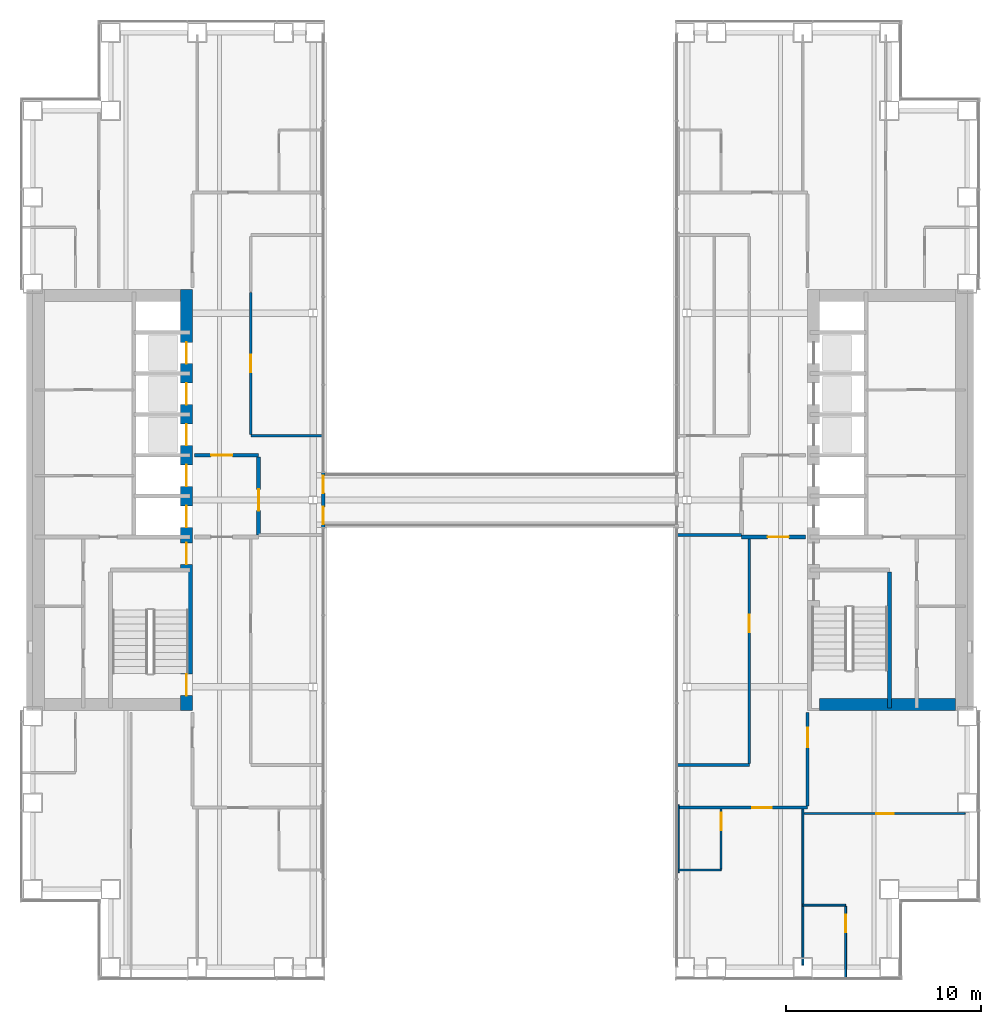
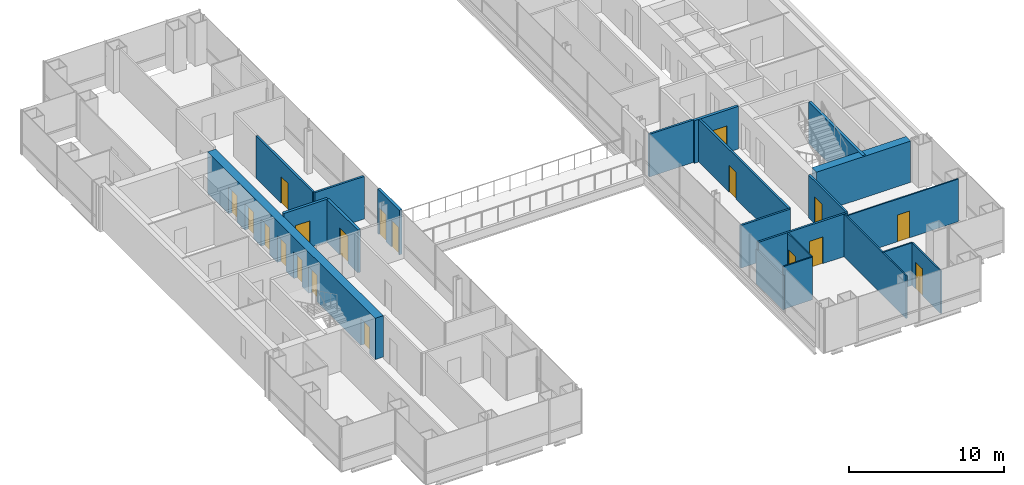
# One storey, part 15 of 19: 21 walls, 19 doors, 19 openings.
"""IFC4 building model written with IfcOpenShell, lengths in metres."""

from ifc_helpers import new_model, si_unit, direction, frame, frame_2d, origin, place, context, subcontext, project, spatial, rectangle, extrude, material, layer, layer_set, type_object, element, fill, save


model = new_model("IFC4")

# Units and contexts
model_context = context("Model", 3, precision=1e-05, world=origin(), true_north=direction((0.0, 1.0)))
body_context = subcontext(model_context, "Body", "Model", "MODEL_VIEW")
ifc_project = project(units=[si_unit("LENGTHUNIT", "METRE"), si_unit("AREAUNIT", "SQUARE_METRE"), si_unit("VOLUMEUNIT", "CUBIC_METRE"), si_unit("PLANEANGLEUNIT", "RADIAN"), si_unit("MASSUNIT", "GRAM", prefix="KILO")], contexts=[model_context])

# Site, building, storey
site_placement = place(None, origin())
site = spatial("IfcSite", under=ifc_project, at=site_placement, CompositionType="ELEMENT")
building_placement = place(site_placement, origin())
building = spatial("IfcBuilding", under=site, at=building_placement, Name="Cobrizo Arcos Hotel Tower", CompositionType="ELEMENT")
storey_placement = place(building_placement, frame((0.0, 0.0, 63.5)))
storey = spatial("IfcBuildingStorey", under=building, at=storey_placement, Name="L14", CompositionType="ELEMENT", Elevation=63.5)

# Wall, opening, door
ifc_material_1 = material(Name="Gypsum board partition")
ifc_layer_1 = layer(ifc_material_1, 0.14990234375)
ifc_layer_set_1 = layer_set([ifc_layer_1], Name="Corridor wall EI 60 150")
wall_type_1 = type_object("IfcWallType", Name="Corridor wall EI 60 150", PredefinedType="PARTITIONING", material=ifc_layer_set_1)
wall_1_placement = place(storey_placement, frame((9.14990234375, -15.800048828125, 0.0), z_axis=(0.0, 0.0, 1.0), x_axis=(1.0, 0.0, 0.0)))
wall_1 = element("IfcWall", 1, at=wall_1_placement, inside=storey, type_object=wall_type_1, Name="Partition 006", PredefinedType="PARTITIONING", context=body_context, shape_type="SweptSolid", body=[
    extrude(rectangle(XDim=6.650146484375, YDim=0.14990234375, at=frame_2d((3.3251953125, 0.0))), origin(), (0.0, 0.0, 1.0), 3.35009765625),
])
opening_1_placement = place(wall_1_placement, frame((3.802978515625, 0.0, 0.0)))
opening_1 = element("IfcOpeningElement", 2, at=opening_1_placement, cuts=wall_1, Name="Opening GD-03", PredefinedType="OPENING", context=body_context, shape_type="SweptSolid", body=[
    extrude(rectangle(XDim=1.0, YDim=2.10009765625, at=frame_2d((0.5, 1.050048828125))), frame((0.0, 0.0869140625, 0.0), z_axis=(0.0, -1.0, 0.0), x_axis=(1.0, 0.0, 0.0)), (0.0, 0.0, 1.0), 0.173828125),
])
ifc_material_2 = material(Name="Timber door leaf", Category="wood")
door_type_1 = type_object("IfcDoorType", Name="Guest room door FD30S 1000x2100", OperationType="SINGLE_SWING_LEFT", PredefinedType="DOOR", material=ifc_material_2)
door_1_placement = place(opening_1_placement, origin())
door_1 = element("IfcDoor", 3, at=door_1_placement, inside=storey, type_object=door_type_1, Name="Door GD-03", OperationType="SINGLE_SWING_RIGHT", OverallHeight=2.10009765625, OverallWidth=1.0, PredefinedType="DOOR", context=body_context, shape_type="SweptSolid", body=[
    extrude(rectangle(XDim=1.0, YDim=2.10009765625, at=frame_2d((0.5, 1.050048828125))), frame((0.0, 0.02490234375, 0.0), z_axis=(0.0, -1.0, 0.0), x_axis=(1.0, 0.0, 0.0)), (0.0, 0.0, 1.0), 0.050048828125),
])
fill(opening_1, door_1)

# Walls
wall_2_placement = place(storey_placement, frame((9.1201171875, -13.60009765625, 0.0), z_axis=(0.0, 0.0, 1.0), x_axis=(1.0, 0.0, 0.0)))
element("IfcWall", 4, at=wall_2_placement, inside=storey, type_object=wall_type_1, Name="Partition 009", PredefinedType="PARTITIONING", context=body_context, shape_type="SweptSolid", body=[
    extrude(rectangle(XDim=3.679931640625, YDim=0.14990234375, at=frame_2d((1.83984375, 0.0))), origin(), (0.0, 0.0, 1.0), 3.35009765625),
])
wall_3_placement = place(storey_placement, frame((9.1201171875, -1.800048828125, 0.0), z_axis=(0.0, 0.0, 1.0), x_axis=(1.0, 0.0, 0.0)))
element("IfcWall", 5, at=wall_3_placement, inside=storey, type_object=wall_type_1, Name="Partition 019", PredefinedType="PARTITIONING", context=body_context, shape_type="SweptSolid", body=[
    extrude(rectangle(XDim=3.27978515625, YDim=0.14990234375, at=frame_2d((1.639892578125, 0.0))), origin(), (0.0, 0.0, 1.0), 3.35009765625),
])
wall_4_placement = place(storey_placement, frame((-12.800048828125, 3.300048828125, 0.0), z_axis=(0.0, 0.0, 1.0), x_axis=(1.0, 0.0, 0.0)))
element("IfcWall", 6, at=wall_4_placement, inside=storey, type_object=wall_type_1, Name="Partition 028", PredefinedType="PARTITIONING", context=body_context, shape_type="SweptSolid", body=[
    extrude(rectangle(XDim=3.679931640625, YDim=0.14990234375, at=frame_2d((1.83984375, 0.0))), origin(), (0.0, 0.0, 1.0), 3.35009765625),
])

# Wall, opening, door
wall_5_placement = place(storey_placement, frame((-12.800048828125, 3.375, 0.0), z_axis=(0.0, 0.0, 1.0), x_axis=(0.0, 1.0, 0.0)))
wall_5 = element("IfcWall", 7, at=wall_5_placement, inside=storey, type_object=wall_type_1, Name="Partition 058", PredefinedType="PARTITIONING", context=body_context, shape_type="SweptSolid", body=[
    extrude(rectangle(XDim=7.27490234375, YDim=0.14990234375, at=frame_2d((3.637451171875, 0.0))), origin(), (0.0, 0.0, 1.0), 3.35009765625),
])
opening_2_placement = place(wall_5_placement, frame((3.175048828125, 0.0, 0.0)))
opening_2 = element("IfcOpeningElement", 8, at=opening_2_placement, cuts=wall_5, Name="Opening RD-15", PredefinedType="OPENING", context=body_context, shape_type="SweptSolid", body=[
    extrude(rectangle(XDim=0.89990234375, YDim=2.10009765625, at=frame_2d((0.449951171875, 1.050048828125))), frame((0.0, 0.0869140625, 0.0), z_axis=(0.0, -1.0, 0.0), x_axis=(1.0, 0.0, 0.0)), (0.0, 0.0, 1.0), 0.173828125),
])
door_type_2 = type_object("IfcDoorType", Name="Room door FD30 900x2100", OperationType="SINGLE_SWING_LEFT", PredefinedType="DOOR", material=ifc_material_2)
door_2_placement = place(opening_2_placement, origin())
door_2 = element("IfcDoor", 9, at=door_2_placement, inside=storey, type_object=door_type_2, Name="Door RD-15", OperationType="SINGLE_SWING_LEFT", OverallHeight=2.10009765625, OverallWidth=0.89990234375, PredefinedType="DOOR", context=body_context, shape_type="SweptSolid", body=[
    extrude(rectangle(XDim=0.89990234375, YDim=2.10009765625, at=frame_2d((0.449951171875, 1.050048828125))), frame((0.0, 0.02490234375, 0.0), z_axis=(0.0, -1.0, 0.0), x_axis=(1.0, 0.0, 0.0)), (0.0, 0.0, 1.0), 0.050048828125),
])
fill(opening_2, door_2)

wall_6_placement = place(storey_placement, frame((12.800048828125, -13.52490234375, 0.0), z_axis=(0.0, 0.0, 1.0), x_axis=(0.0, 1.0, 0.0)))
wall_6 = element("IfcWall", 10, at=wall_6_placement, inside=storey, type_object=wall_type_1, Name="Partition 072", PredefinedType="PARTITIONING", context=body_context, shape_type="SweptSolid", body=[
    extrude(rectangle(XDim=11.52490234375, YDim=0.14990234375, at=frame_2d((5.762451171875, 0.0))), origin(), (0.0, 0.0, 1.0), 3.35009765625),
])
opening_3_placement = place(wall_6_placement, frame((6.72509765625, 0.0, 0.0)))
opening_3 = element("IfcOpeningElement", 11, at=opening_3_placement, cuts=wall_6, Name="Opening RD-16", PredefinedType="OPENING", context=body_context, shape_type="SweptSolid", body=[
    extrude(rectangle(XDim=0.89990234375, YDim=2.10009765625, at=frame_2d((0.449951171875, 1.050048828125))), frame((0.0, 0.0869140625, 0.0), z_axis=(0.0, -1.0, 0.0), x_axis=(1.0, 0.0, 0.0)), (0.0, 0.0, 1.0), 0.173828125),
])
door_3_placement = place(opening_3_placement, origin())
door_3 = element("IfcDoor", 12, at=door_3_placement, inside=storey, type_object=door_type_2, Name="Door RD-16", OperationType="SINGLE_SWING_RIGHT", OverallHeight=2.10009765625, OverallWidth=0.89990234375, PredefinedType="DOOR", context=body_context, shape_type="SweptSolid", body=[
    extrude(rectangle(XDim=0.89990234375, YDim=2.10009765625, at=frame_2d((0.449951171875, 1.050048828125))), frame((0.0, 0.02490234375, 0.0), z_axis=(0.0, -1.0, 0.0), x_axis=(1.0, 0.0, 0.0)), (0.0, 0.0, 1.0), 0.050048828125),
])
fill(opening_3, door_3)

wall_7_placement = place(storey_placement, frame((15.800048828125, -15.72509765625, 0.0), z_axis=(0.0, 0.0, 1.0), x_axis=(0.0, 1.0, 0.0)))
wall_7 = element("IfcWall", 13, at=wall_7_placement, inside=storey, type_object=wall_type_1, Name="Partition 077", PredefinedType="PARTITIONING", context=body_context, shape_type="SweptSolid", body=[
    extrude(rectangle(XDim=4.80517578125, YDim=0.14990234375, at=frame_2d((2.402587890625, 0.0))), origin(), (0.0, 0.0, 1.0), 3.35009765625),
])
opening_4_placement = place(wall_7_placement, frame((3.02490234375, 0.0, 0.0)))
opening_4 = element("IfcOpeningElement", 14, at=opening_4_placement, cuts=wall_7, Name="Opening GD-07", PredefinedType="OPENING", context=body_context, shape_type="SweptSolid", body=[
    extrude(rectangle(XDim=1.0, YDim=2.10009765625, at=frame_2d((0.5, 1.050048828125))), frame((0.0, 0.0869140625, 0.0), z_axis=(0.0, -1.0, 0.0), x_axis=(1.0, 0.0, 0.0)), (0.0, 0.0, 1.0), 0.173828125),
])
door_4_placement = place(opening_4_placement, origin())
door_4 = element("IfcDoor", 15, at=door_4_placement, inside=storey, type_object=door_type_1, Name="Door GD-07", OperationType="SINGLE_SWING_LEFT", OverallHeight=2.10009765625, OverallWidth=1.0, PredefinedType="DOOR", context=body_context, shape_type="SweptSolid", body=[
    extrude(rectangle(XDim=1.0, YDim=2.10009765625, at=frame_2d((0.5, 1.050048828125))), frame((0.0, 0.02490234375, 0.0), z_axis=(0.0, -1.0, 0.0), x_axis=(1.0, 0.0, 0.0)), (0.0, 0.0, 1.0), 0.050048828125),
])
fill(opening_4, door_4)

# Wall, openings, doors
ifc_material_3 = material(Name="Aluminium 6063-T6 anodised pale", Category="aluminium")
ifc_layer_2 = layer(ifc_material_3, 0.199951171875)
ifc_layer_set_2 = layer_set([ifc_layer_2], Name="EW-4 sky bridge door frame wall")
wall_type_2 = type_object("IfcWallType", Name="EW-4 sky bridge door frame wall", PredefinedType="SOLIDWALL", material=ifc_layer_set_2)
wall_8_placement = place(storey_placement, frame((-9.074951171875, -1.39990234375, 0.0), z_axis=(0.0, 0.0, 1.0), x_axis=(0.0, 1.0, 0.0)))
wall_8 = element("IfcWall", 16, at=wall_8_placement, inside=storey, type_object=wall_type_2, Name="Sky bridge door wall A W", PredefinedType="SOLIDWALL", context=body_context, shape_type="SweptSolid", body=[
    extrude(rectangle(XDim=2.7998046875, YDim=0.199951171875, at=frame_2d((1.39990234375, 0.0))), origin(), (0.0, 0.0, 1.0), 3.5),
])
opening_5_placement = place(wall_8_placement, frame((0.14990234375, 0.0, 0.0)))
opening_5 = element("IfcOpeningElement", 17, at=opening_5_placement, cuts=wall_8, Name="Opening E-22", PredefinedType="OPENING", context=body_context, shape_type="SweptSolid", body=[
    extrude(rectangle(XDim=0.89990234375, YDim=2.10009765625, at=frame_2d((0.449951171875, 1.050048828125))), frame((0.0, 0.112060546875, 0.0), z_axis=(0.0, -1.0, 0.0), x_axis=(1.0, 0.0, 0.0)), (0.0, 0.0, 1.0), 0.223876953125),
])
opening_6_placement = place(wall_8_placement, frame((1.75, 0.0, 0.0)))
opening_6 = element("IfcOpeningElement", 18, at=opening_6_placement, cuts=wall_8, Name="Opening E-23", PredefinedType="OPENING", context=body_context, shape_type="SweptSolid", body=[
    extrude(rectangle(XDim=0.89990234375, YDim=2.10009765625, at=frame_2d((0.449951171875, 1.050048828125))), frame((0.0, 0.112060546875, 0.0), z_axis=(0.0, -1.0, 0.0), x_axis=(1.0, 0.0, 0.0)), (0.0, 0.0, 1.0), 0.223876953125),
])
ifc_material_4 = material(Name="Aluminium 6063-T6 and clear laminated glass", Category="aluminium")
door_type_3 = type_object("IfcDoorType", Name="D-B2 sky bridge single door 900x2100", OperationType="SINGLE_SWING_LEFT", PredefinedType="DOOR", material=ifc_material_4)
door_5_placement = place(opening_5_placement, origin())
door_5 = element("IfcDoor", 19, at=door_5_placement, inside=storey, type_object=door_type_3, Name="Sky bridge door wall A W door E-22", OperationType="SINGLE_SWING_LEFT", OverallHeight=2.10009765625, OverallWidth=0.89990234375, PredefinedType="DOOR", context=body_context, shape_type="SweptSolid", body=[
    extrude(rectangle(XDim=0.89990234375, YDim=2.10009765625, at=frame_2d((0.449951171875, 1.050048828125))), frame((0.0, 0.02490234375, 0.0), z_axis=(0.0, -1.0, 0.0), x_axis=(1.0, 0.0, 0.0)), (0.0, 0.0, 1.0), 0.050048828125),
])
fill(opening_5, door_5)
door_6_placement = place(opening_6_placement, origin())
door_6 = element("IfcDoor", 20, at=door_6_placement, inside=storey, type_object=door_type_3, Name="Sky bridge door wall A W door E-23", OperationType="SINGLE_SWING_RIGHT", OverallHeight=2.10009765625, OverallWidth=0.89990234375, PredefinedType="DOOR", context=body_context, shape_type="SweptSolid", body=[
    extrude(rectangle(XDim=0.89990234375, YDim=2.10009765625, at=frame_2d((0.449951171875, 1.050048828125))), frame((0.0, 0.02490234375, 0.0), z_axis=(0.0, -1.0, 0.0), x_axis=(1.0, 0.0, 0.0)), (0.0, 0.0, 1.0), 0.050048828125),
])
fill(opening_6, door_6)

# Walls
ifc_layer_3 = layer(ifc_material_1, 0.10009765625)
ifc_layer_set_3 = layer_set([ifc_layer_3], Name="Partition EI 30 100")
wall_type_3 = type_object("IfcWallType", Name="Partition EI 30 100", PredefinedType="PARTITIONING", material=ifc_layer_set_3)
wall_9_placement = place(storey_placement, frame((15.550048828125, -20.800048828125, 0.0), z_axis=(0.0, 0.0, 1.0), x_axis=(1.0, 0.0, 0.0)))
element("IfcWall", 21, at=wall_9_placement, inside=storey, type_object=wall_type_3, Name="Partition 001", PredefinedType="PARTITIONING", context=body_context, shape_type="SweptSolid", body=[
    extrude(rectangle(XDim=2.199951171875, YDim=0.10009765625, at=frame_2d((1.10009765625, 0.0))), origin(), (0.0, 0.0, 1.0), 3.35009765625),
])
wall_10_placement = place(storey_placement, frame((9.14990234375, -19.0, 0.0), z_axis=(0.0, 0.0, 1.0), x_axis=(1.0, 0.0, 0.0)))
element("IfcWall", 22, at=wall_10_placement, inside=storey, type_object=wall_type_3, Name="Partition 003", PredefinedType="PARTITIONING", context=body_context, shape_type="SweptSolid", body=[
    extrude(rectangle(XDim=2.2001953125, YDim=0.10009765625, at=frame_2d((1.10009765625, 0.0))), origin(), (0.0, 0.0, 1.0), 3.35009765625),
])

# Wall, opening, door
wall_11_placement = place(storey_placement, frame((15.550048828125, -16.10009765625, 0.0), z_axis=(0.0, 0.0, 1.0), x_axis=(1.0, 0.0, 0.0)))
wall_11 = element("IfcWall", 23, at=wall_11_placement, inside=storey, type_object=wall_type_3, Name="Partition 004", PredefinedType="PARTITIONING", context=body_context, shape_type="SweptSolid", body=[
    extrude(rectangle(XDim=8.329833984375, YDim=0.10009765625, at=frame_2d((4.1650390625, 0.0))), origin(), (0.0, 0.0, 1.0), 3.35009765625),
])
opening_7_placement = place(wall_11_placement, frame((3.778076171875, 0.0, 0.0)))
opening_7 = element("IfcOpeningElement", 24, at=opening_7_placement, cuts=wall_11, Name="Opening RD-13", PredefinedType="OPENING", context=body_context, shape_type="SweptSolid", body=[
    extrude(rectangle(XDim=0.89990234375, YDim=2.10009765625, at=frame_2d((0.449951171875, 1.050048828125))), frame((0.0, 0.06201171875, 0.0), z_axis=(0.0, -1.0, 0.0), x_axis=(1.0, 0.0, 0.0)), (0.0, 0.0, 1.0), 0.1240234375),
])
door_7_placement = place(opening_7_placement, origin())
door_7 = element("IfcDoor", 25, at=door_7_placement, inside=storey, type_object=door_type_2, Name="Door RD-13", OperationType="SINGLE_SWING_LEFT", OverallHeight=2.10009765625, OverallWidth=0.89990234375, PredefinedType="DOOR", context=body_context, shape_type="SweptSolid", body=[
    extrude(rectangle(XDim=0.89990234375, YDim=2.10009765625, at=frame_2d((0.449951171875, 1.050048828125))), frame((0.0, 0.02490234375, 0.0), z_axis=(0.0, -1.0, 0.0), x_axis=(1.0, 0.0, 0.0)), (0.0, 0.0, 1.0), 0.050048828125),
])
fill(opening_7, door_7)

# Wall
wall_12_placement = place(storey_placement, frame((9.14990234375, -19.139892578125, 0.0), z_axis=(0.0, 0.0, 1.0), x_axis=(0.0, 1.0, 0.0)))
element("IfcWall", 26, at=wall_12_placement, inside=storey, type_object=wall_type_3, Name="Partition 065", PredefinedType="PARTITIONING", context=body_context, shape_type="SweptSolid", body=[
    extrude(rectangle(XDim=3.47998046875, YDim=0.10009765625, at=frame_2d((1.739990234375, 0.0))), origin(), (0.0, 0.0, 1.0), 2.73291015625),
])

# Wall, opening, door
wall_13_placement = place(storey_placement, frame((11.35009765625, -18.949951171875, 0.0), z_axis=(0.0, 0.0, 1.0), x_axis=(0.0, 1.0, 0.0)))
wall_13 = element("IfcWall", 27, at=wall_13_placement, inside=storey, type_object=wall_type_3, Name="Partition 069", PredefinedType="PARTITIONING", context=body_context, shape_type="SweptSolid", body=[
    extrude(rectangle(XDim=3.074951171875, YDim=0.10009765625, at=frame_2d((1.53759765625, 0.0))), origin(), (0.0, 0.0, 1.0), 3.35009765625),
])
opening_8_placement = place(wall_13_placement, frame((1.99609375, 0.0, 0.0)))
opening_8 = element("IfcOpeningElement", 28, at=opening_8_placement, cuts=wall_13, Name="Opening ED-03", PredefinedType="OPENING", context=body_context, shape_type="SweptSolid", body=[
    extrude(rectangle(XDim=0.89990234375, YDim=2.10009765625, at=frame_2d((0.449951171875, 1.050048828125))), frame((0.0, 0.06201171875, 0.0), z_axis=(0.0, -1.0, 0.0), x_axis=(1.0, 0.0, 0.0)), (0.0, 0.0, 1.0), 0.1240234375),
])
door_type_4 = type_object("IfcDoorType", Name="En-suite door 900x2100", OperationType="SINGLE_SWING_LEFT", PredefinedType="DOOR", material=ifc_material_2)
door_8_placement = place(opening_8_placement, origin())
door_8 = element("IfcDoor", 29, at=door_8_placement, inside=storey, type_object=door_type_4, Name="Door ED-03", OperationType="SINGLE_SWING_LEFT", OverallHeight=2.10009765625, OverallWidth=0.89990234375, PredefinedType="DOOR", context=body_context, shape_type="SweptSolid", body=[
    extrude(rectangle(XDim=0.89990234375, YDim=2.10009765625, at=frame_2d((0.449951171875, 1.050048828125))), frame((0.0, 0.02490234375, 0.0), z_axis=(0.0, -1.0, 0.0), x_axis=(1.0, 0.0, 0.0)), (0.0, 0.0, 1.0), 0.050048828125),
])
fill(opening_8, door_8)

# Wall
wall_14_placement = place(storey_placement, frame((15.550048828125, -23.8798828125, 0.0), z_axis=(0.0, 0.0, 1.0), x_axis=(0.0, 1.0, 0.0)))
element("IfcWall", 30, at=wall_14_placement, inside=storey, type_object=wall_type_3, Name="Partition 075", PredefinedType="PARTITIONING", context=body_context, shape_type="SweptSolid", body=[
    extrude(rectangle(XDim=8.0048828125, YDim=0.10009765625, at=frame_2d((4.00244140625, 0.0))), origin(), (0.0, 0.0, 1.0), 3.35009765625),
])

# Wall, opening, door
wall_15_placement = place(storey_placement, frame((17.75, -24.530029296875, 0.0), z_axis=(0.0, 0.0, 1.0), x_axis=(0.0, 1.0, 0.0)))
wall_15 = element("IfcWall", 31, at=wall_15_placement, inside=storey, type_object=wall_type_3, Name="Partition 079", PredefinedType="PARTITIONING", context=body_context, shape_type="SweptSolid", body=[
    extrude(rectangle(XDim=3.679931640625, YDim=0.10009765625, at=frame_2d((1.83984375, 0.0))), origin(), (0.0, 0.0, 1.0), 3.35009765625),
])
opening_9_placement = place(wall_15_placement, frame((2.320068359375, 0.0, 0.0)))
opening_9 = element("IfcOpeningElement", 32, at=opening_9_placement, cuts=wall_15, Name="Opening ED-07", PredefinedType="OPENING", context=body_context, shape_type="SweptSolid", body=[
    extrude(rectangle(XDim=0.89990234375, YDim=2.10009765625, at=frame_2d((0.449951171875, 1.050048828125))), frame((0.0, 0.06201171875, 0.0), z_axis=(0.0, -1.0, 0.0), x_axis=(1.0, 0.0, 0.0)), (0.0, 0.0, 1.0), 0.1240234375),
])
door_9_placement = place(opening_9_placement, origin())
door_9 = element("IfcDoor", 33, at=door_9_placement, inside=storey, type_object=door_type_4, Name="Door ED-07", OperationType="SINGLE_SWING_LEFT", OverallHeight=2.10009765625, OverallWidth=0.89990234375, PredefinedType="DOOR", context=body_context, shape_type="SweptSolid", body=[
    extrude(rectangle(XDim=0.89990234375, YDim=2.10009765625, at=frame_2d((0.449951171875, 1.050048828125))), frame((0.0, 0.02490234375, 0.0), z_axis=(0.0, -1.0, 0.0), x_axis=(1.0, 0.0, 0.0)), (0.0, 0.0, 1.0), 0.050048828125),
])
fill(opening_9, door_9)

# Wall
ifc_material_5 = material(Name="Concrete f'c 60 MPa", Category="concrete")
ifc_layer_4 = layer(ifc_material_5, 0.60009765625)
ifc_layer_set_4 = layer_set([ifc_layer_4], Name="RC core wall 600 f'c 60")
wall_type_4 = type_object("IfcWallType", Name="RC core wall 600 f'c 60", PredefinedType="SHEAR", material=ifc_layer_set_4)
wall_16_placement = place(storey_placement, frame((16.39990234375, -10.5, 0.0), z_axis=(0.0, 0.0, 1.0), x_axis=(1.0, 0.0, 0.0)))
element("IfcWall", 34, at=wall_16_placement, inside=storey, type_object=wall_type_4, Name="Core wall CW1, east core, south end, L14", PredefinedType="SHEAR", context=body_context, shape_type="SweptSolid", body=[
    extrude(rectangle(XDim=7.0, YDim=0.60009765625, at=frame_2d((3.5, 0.0))), origin(), (0.0, 0.0, 1.0), 3.25),
])

# Wall, openings, doors
wall_17_placement = place(storey_placement, frame((-16.10009765625, -10.800048828125, 0.0), z_axis=(0.0, 0.0, 1.0), x_axis=(0.0, 1.0, 0.0)))
wall_17 = element("IfcWall", 35, at=wall_17_placement, inside=storey, type_object=wall_type_4, Name="Core wall CW1, west core, inner face, L14", PredefinedType="SHEAR", context=body_context, shape_type="SweptSolid", body=[
    extrude(rectangle(XDim=21.60009765625, YDim=0.60009765625, at=frame_2d((10.800048828125, 0.0))), origin(), (0.0, 0.0, 1.0), 3.25),
])
opening_10_placement = place(wall_17_placement, frame((9.39990234375, 0.0, 0.0)))
opening_10 = element("IfcOpeningElement", 36, at=opening_10_placement, cuts=wall_17, Name="Opening LD-01", PredefinedType="OPENING", context=body_context, shape_type="SweptSolid", body=[
    extrude(rectangle(XDim=1.10009765625, YDim=2.10009765625, at=frame_2d((0.550048828125, 1.050048828125))), frame((0.0, 0.31201171875, 0.0), z_axis=(0.0, -1.0, 0.0), x_axis=(1.0, 0.0, 0.0)), (0.0, 0.0, 1.0), 0.6240234375),
])
opening_11_placement = place(wall_17_placement, frame((11.5, 0.0, 0.0)))
opening_11 = element("IfcOpeningElement", 37, at=opening_11_placement, cuts=wall_17, Name="Opening LD-02", PredefinedType="OPENING", context=body_context, shape_type="SweptSolid", body=[
    extrude(rectangle(XDim=1.10009765625, YDim=2.10009765625, at=frame_2d((0.550048828125, 1.050048828125))), frame((0.0, 0.31201171875, 0.0), z_axis=(0.0, -1.0, 0.0), x_axis=(1.0, 0.0, 0.0)), (0.0, 0.0, 1.0), 0.6240234375),
])
opening_12_placement = place(wall_17_placement, frame((13.60009765625, 0.0, 0.0)))
opening_12 = element("IfcOpeningElement", 38, at=opening_12_placement, cuts=wall_17, Name="Opening LD-03", PredefinedType="OPENING", context=body_context, shape_type="SweptSolid", body=[
    extrude(rectangle(XDim=1.10009765625, YDim=2.10009765625, at=frame_2d((0.550048828125, 1.050048828125))), frame((0.0, 0.31201171875, 0.0), z_axis=(0.0, -1.0, 0.0), x_axis=(1.0, 0.0, 0.0)), (0.0, 0.0, 1.0), 0.6240234375),
])
opening_13_placement = place(wall_17_placement, frame((15.699951171875, 0.0, 0.0)))
opening_13 = element("IfcOpeningElement", 39, at=opening_13_placement, cuts=wall_17, Name="Opening LD-04", PredefinedType="OPENING", context=body_context, shape_type="SweptSolid", body=[
    extrude(rectangle(XDim=1.10009765625, YDim=2.10009765625, at=frame_2d((0.550048828125, 1.050048828125))), frame((0.0, 0.31201171875, 0.0), z_axis=(0.0, -1.0, 0.0), x_axis=(1.0, 0.0, 0.0)), (0.0, 0.0, 1.0), 0.6240234375),
])
opening_14_placement = place(wall_17_placement, frame((17.800048828125, 0.0, 0.0)))
opening_14 = element("IfcOpeningElement", 40, at=opening_14_placement, cuts=wall_17, Name="Opening LD-05", PredefinedType="OPENING", context=body_context, shape_type="SweptSolid", body=[
    extrude(rectangle(XDim=1.10009765625, YDim=2.10009765625, at=frame_2d((0.550048828125, 1.050048828125))), frame((0.0, 0.31201171875, 0.0), z_axis=(0.0, -1.0, 0.0), x_axis=(1.0, 0.0, 0.0)), (0.0, 0.0, 1.0), 0.6240234375),
])
opening_15_placement = place(wall_17_placement, frame((0.758056640625, 0.0, 0.0)))
opening_15 = element("IfcOpeningElement", 41, at=opening_15_placement, cuts=wall_17, Name="Opening SD-01", PredefinedType="OPENING", context=body_context, shape_type="SweptSolid", body=[
    extrude(rectangle(XDim=1.10009765625, YDim=2.10009765625, at=frame_2d((0.550048828125, 1.050048828125))), frame((0.0, 0.31201171875, 0.0), z_axis=(0.0, -1.0, 0.0), x_axis=(1.0, 0.0, 0.0)), (0.0, 0.0, 1.0), 0.6240234375),
])
opening_16_placement = place(wall_17_placement, frame((7.5, 0.0, 0.0)))
opening_16 = element("IfcOpeningElement", 42, at=opening_16_placement, cuts=wall_17, Name="Opening FD-01", PredefinedType="OPENING", context=body_context, shape_type="SweptSolid", body=[
    extrude(rectangle(XDim=1.10009765625, YDim=2.10009765625, at=frame_2d((0.550048828125, 1.050048828125))), frame((0.0, 0.31201171875, 0.0), z_axis=(0.0, -1.0, 0.0), x_axis=(1.0, 0.0, 0.0)), (0.0, 0.0, 1.0), 0.6240234375),
])
ifc_material_6 = material(Name="Steel door leaf", Category="steel")
door_type_5 = type_object("IfcDoorType", Name="Fire door FD60 1100x2100", OperationType="SINGLE_SWING_LEFT", PredefinedType="DOOR", material=ifc_material_6)
door_10_placement = place(opening_16_placement, origin())
door_10 = element("IfcDoor", 43, at=door_10_placement, inside=storey, type_object=door_type_5, Name="Door FD-01", OperationType="SINGLE_SWING_RIGHT", OverallHeight=2.10009765625, OverallWidth=1.10009765625, PredefinedType="DOOR", context=body_context, shape_type="SweptSolid", body=[
    extrude(rectangle(XDim=1.10009765625, YDim=2.10009765625, at=frame_2d((0.550048828125, 1.050048828125))), frame((0.0, 0.02490234375, 0.0), z_axis=(0.0, -1.0, 0.0), x_axis=(1.0, 0.0, 0.0)), (0.0, 0.0, 1.0), 0.050048828125),
])
fill(opening_16, door_10)
door_type_6 = type_object("IfcDoorType", Name="Lift landing door 1100x2100", OperationType="SLIDING_TO_LEFT", PredefinedType="DOOR", material=ifc_material_6)
door_11_placement = place(opening_10_placement, origin())
door_11 = element("IfcDoor", 44, at=door_11_placement, inside=storey, type_object=door_type_6, Name="Lift landing door LD-01", OperationType="SLIDING_TO_LEFT", OverallHeight=2.10009765625, OverallWidth=1.10009765625, PredefinedType="DOOR", context=body_context, shape_type="SweptSolid", body=[
    extrude(rectangle(XDim=1.10009765625, YDim=2.10009765625, at=frame_2d((0.550048828125, 1.050048828125))), frame((0.0, 0.02490234375, 0.0), z_axis=(0.0, -1.0, 0.0), x_axis=(1.0, 0.0, 0.0)), (0.0, 0.0, 1.0), 0.050048828125),
])
fill(opening_10, door_11)
door_12_placement = place(opening_11_placement, origin())
door_12 = element("IfcDoor", 45, at=door_12_placement, inside=storey, type_object=door_type_6, Name="Lift landing door LD-02", OperationType="SLIDING_TO_LEFT", OverallHeight=2.10009765625, OverallWidth=1.10009765625, PredefinedType="DOOR", context=body_context, shape_type="SweptSolid", body=[
    extrude(rectangle(XDim=1.10009765625, YDim=2.10009765625, at=frame_2d((0.550048828125, 1.050048828125))), frame((0.0, 0.02490234375, 0.0), z_axis=(0.0, -1.0, 0.0), x_axis=(1.0, 0.0, 0.0)), (0.0, 0.0, 1.0), 0.050048828125),
])
fill(opening_11, door_12)
door_13_placement = place(opening_12_placement, origin())
door_13 = element("IfcDoor", 46, at=door_13_placement, inside=storey, type_object=door_type_6, Name="Lift landing door LD-03", OperationType="SLIDING_TO_LEFT", OverallHeight=2.10009765625, OverallWidth=1.10009765625, PredefinedType="DOOR", context=body_context, shape_type="SweptSolid", body=[
    extrude(rectangle(XDim=1.10009765625, YDim=2.10009765625, at=frame_2d((0.550048828125, 1.050048828125))), frame((0.0, 0.02490234375, 0.0), z_axis=(0.0, -1.0, 0.0), x_axis=(1.0, 0.0, 0.0)), (0.0, 0.0, 1.0), 0.050048828125),
])
fill(opening_12, door_13)
door_14_placement = place(opening_13_placement, origin())
door_14 = element("IfcDoor", 47, at=door_14_placement, inside=storey, type_object=door_type_6, Name="Lift landing door LD-04", OperationType="SLIDING_TO_LEFT", OverallHeight=2.10009765625, OverallWidth=1.10009765625, PredefinedType="DOOR", context=body_context, shape_type="SweptSolid", body=[
    extrude(rectangle(XDim=1.10009765625, YDim=2.10009765625, at=frame_2d((0.550048828125, 1.050048828125))), frame((0.0, 0.02490234375, 0.0), z_axis=(0.0, -1.0, 0.0), x_axis=(1.0, 0.0, 0.0)), (0.0, 0.0, 1.0), 0.050048828125),
])
fill(opening_13, door_14)
door_15_placement = place(opening_14_placement, origin())
door_15 = element("IfcDoor", 48, at=door_15_placement, inside=storey, type_object=door_type_6, Name="Lift landing door LD-05", OperationType="SLIDING_TO_LEFT", OverallHeight=2.10009765625, OverallWidth=1.10009765625, PredefinedType="DOOR", context=body_context, shape_type="SweptSolid", body=[
    extrude(rectangle(XDim=1.10009765625, YDim=2.10009765625, at=frame_2d((0.550048828125, 1.050048828125))), frame((0.0, 0.02490234375, 0.0), z_axis=(0.0, -1.0, 0.0), x_axis=(1.0, 0.0, 0.0)), (0.0, 0.0, 1.0), 0.050048828125),
])
fill(opening_14, door_15)
door_type_7 = type_object("IfcDoorType", Name="Stair door FD60S 1100x2100", OperationType="SINGLE_SWING_LEFT", PredefinedType="DOOR", material=ifc_material_6)
door_16_placement = place(opening_15_placement, origin())
door_16 = element("IfcDoor", 49, at=door_16_placement, inside=storey, type_object=door_type_7, Name="Door SD-01", OperationType="SINGLE_SWING_LEFT", OverallHeight=2.10009765625, OverallWidth=1.10009765625, PredefinedType="DOOR", context=body_context, shape_type="SweptSolid", body=[
    extrude(rectangle(XDim=1.10009765625, YDim=2.10009765625, at=frame_2d((0.550048828125, 1.050048828125))), frame((0.0, 0.02490234375, 0.0), z_axis=(0.0, -1.0, 0.0), x_axis=(1.0, 0.0, 0.0)), (0.0, 0.0, 1.0), 0.050048828125),
])
fill(opening_15, door_16)

# Wall, opening, door
ifc_layer_5 = layer(ifc_material_1, 0.199951171875)
ifc_layer_set_5 = layer_set([ifc_layer_5], Name="Shaft wall EI 120 200")
wall_type_5 = type_object("IfcWallType", Name="Shaft wall EI 120 200", PredefinedType="PARTITIONING", material=ifc_layer_set_5)
wall_18_placement = place(storey_placement, frame((12.39990234375, -1.89990234375, 0.0), z_axis=(0.0, 0.0, 1.0), x_axis=(1.0, 0.0, 0.0)))
wall_18 = element("IfcWall", 50, at=wall_18_placement, inside=storey, type_object=wall_type_5, Name="Partition 016", PredefinedType="PARTITIONING", context=body_context, shape_type="SweptSolid", body=[
    extrude(rectangle(XDim=3.280029296875, YDim=0.199951171875, at=frame_2d((1.64013671875, 0.0))), origin(), (0.0, 0.0, 1.0), 3.35009765625),
])
opening_17_placement = place(wall_18_placement, frame((1.340087890625, 0.0, 0.0)))
opening_17 = element("IfcOpeningElement", 51, at=opening_17_placement, cuts=wall_18, Name="Opening FD-07", PredefinedType="OPENING", context=body_context, shape_type="SweptSolid", body=[
    extrude(rectangle(XDim=1.10009765625, YDim=2.10009765625, at=frame_2d((0.550048828125, 1.050048828125))), frame((0.0, 0.112060546875, 0.0), z_axis=(0.0, -1.0, 0.0), x_axis=(1.0, 0.0, 0.0)), (0.0, 0.0, 1.0), 0.223876953125),
])
door_17_placement = place(opening_17_placement, origin())
door_17 = element("IfcDoor", 52, at=door_17_placement, inside=storey, type_object=door_type_5, Name="Door FD-07", OperationType="SINGLE_SWING_RIGHT", OverallHeight=2.10009765625, OverallWidth=1.10009765625, PredefinedType="DOOR", context=body_context, shape_type="SweptSolid", body=[
    extrude(rectangle(XDim=1.10009765625, YDim=2.10009765625, at=frame_2d((0.550048828125, 1.050048828125))), frame((0.0, 0.02490234375, 0.0), z_axis=(0.0, -1.0, 0.0), x_axis=(1.0, 0.0, 0.0)), (0.0, 0.0, 1.0), 0.050048828125),
])
fill(opening_17, door_17)

wall_19_placement = place(storey_placement, frame((-15.679931640625, 2.300048828125, 0.0), z_axis=(0.0, 0.0, 1.0), x_axis=(1.0, 0.0, 0.0)))
wall_19 = element("IfcWall", 53, at=wall_19_placement, inside=storey, type_object=wall_type_5, Name="Partition 025", PredefinedType="PARTITIONING", context=body_context, shape_type="SweptSolid", body=[
    extrude(rectangle(XDim=3.280029296875, YDim=0.199951171875, at=frame_2d((1.64013671875, 0.0))), origin(), (0.0, 0.0, 1.0), 3.35009765625),
])
opening_18_placement = place(wall_19_placement, frame((0.840087890625, 0.0, 0.0)))
opening_18 = element("IfcOpeningElement", 54, at=opening_18_placement, cuts=wall_19, Name="Opening FD-04", PredefinedType="OPENING", context=body_context, shape_type="SweptSolid", body=[
    extrude(rectangle(XDim=1.10009765625, YDim=2.10009765625, at=frame_2d((0.550048828125, 1.050048828125))), frame((0.0, 0.112060546875, 0.0), z_axis=(0.0, -1.0, 0.0), x_axis=(1.0, 0.0, 0.0)), (0.0, 0.0, 1.0), 0.223876953125),
])
door_18_placement = place(opening_18_placement, origin())
door_18 = element("IfcDoor", 55, at=door_18_placement, inside=storey, type_object=door_type_5, Name="Door FD-04", OperationType="SINGLE_SWING_LEFT", OverallHeight=2.10009765625, OverallWidth=1.10009765625, PredefinedType="DOOR", context=body_context, shape_type="SweptSolid", body=[
    extrude(rectangle(XDim=1.10009765625, YDim=2.10009765625, at=frame_2d((0.550048828125, 1.050048828125))), frame((0.0, 0.02490234375, 0.0), z_axis=(0.0, -1.0, 0.0), x_axis=(1.0, 0.0, 0.0)), (0.0, 0.0, 1.0), 0.050048828125),
])
fill(opening_18, door_18)

wall_20_placement = place(storey_placement, frame((-12.39990234375, -1.800048828125, 0.0), z_axis=(0.0, 0.0, 1.0), x_axis=(0.0, 1.0, 0.0)))
wall_20 = element("IfcWall", 56, at=wall_20_placement, inside=storey, type_object=wall_type_5, Name="Partition 060", PredefinedType="PARTITIONING", context=body_context, shape_type="SweptSolid", body=[
    extrude(rectangle(XDim=4.0, YDim=0.199951171875, at=frame_2d((2.0, 0.0))), origin(), (0.0, 0.0, 1.0), 3.35009765625),
])
opening_19_placement = place(wall_20_placement, frame((1.25, 0.0, 0.0)))
opening_19 = element("IfcOpeningElement", 57, at=opening_19_placement, cuts=wall_20, Name="Opening FD-02", PredefinedType="OPENING", context=body_context, shape_type="SweptSolid", body=[
    extrude(rectangle(XDim=1.10009765625, YDim=2.10009765625, at=frame_2d((0.550048828125, 1.050048828125))), frame((0.0, 0.112060546875, 0.0), z_axis=(0.0, -1.0, 0.0), x_axis=(1.0, 0.0, 0.0)), (0.0, 0.0, 1.0), 0.223876953125),
])
door_19_placement = place(opening_19_placement, origin())
door_19 = element("IfcDoor", 58, at=door_19_placement, inside=storey, type_object=door_type_5, Name="Door FD-02", OperationType="SINGLE_SWING_LEFT", OverallHeight=2.10009765625, OverallWidth=1.10009765625, PredefinedType="DOOR", context=body_context, shape_type="SweptSolid", body=[
    extrude(rectangle(XDim=1.10009765625, YDim=2.10009765625, at=frame_2d((0.550048828125, 1.050048828125))), frame((0.0, 0.02490234375, 0.0), z_axis=(0.0, -1.0, 0.0), x_axis=(1.0, 0.0, 0.0)), (0.0, 0.0, 1.0), 0.050048828125),
])
fill(opening_19, door_19)

# Wall
ifc_material_7 = material(Name="Concrete f'c 40 MPa", Category="concrete")
ifc_layer_6 = layer(ifc_material_7, 0.199951171875)
ifc_layer_set_6 = layer_set([ifc_layer_6], Name="Stair shaft wall 200")
wall_type_6 = type_object("IfcWallType", Name="Stair shaft wall 200", PredefinedType="SHEAR", material=ifc_layer_set_6)
wall_21_placement = place(storey_placement, frame((20.0, -10.679931640625, 0.0), z_axis=(0.0, 0.0, 1.0), x_axis=(0.0, 1.0, 0.0)))
element("IfcWall", 59, at=wall_21_placement, inside=storey, type_object=wall_type_6, Name="Stair shaft wall E", PredefinedType="SHEAR", context=body_context, shape_type="SweptSolid", body=[
    extrude(rectangle(XDim=6.97998046875, YDim=0.199951171875, at=frame_2d((3.489990234375, 0.0))), origin(), (0.0, 0.0, 1.0), 3.25),
])

save(model, "model.ifc")
